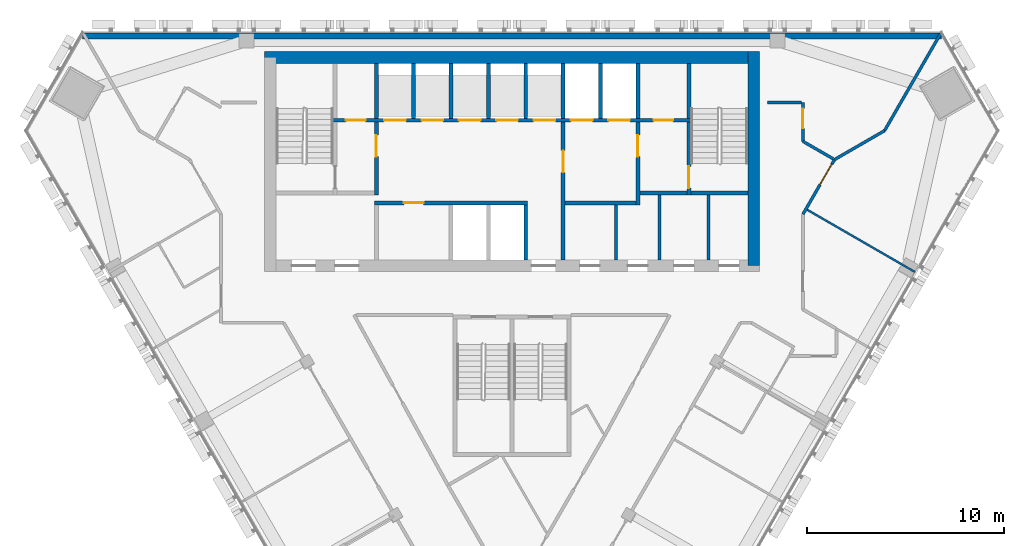
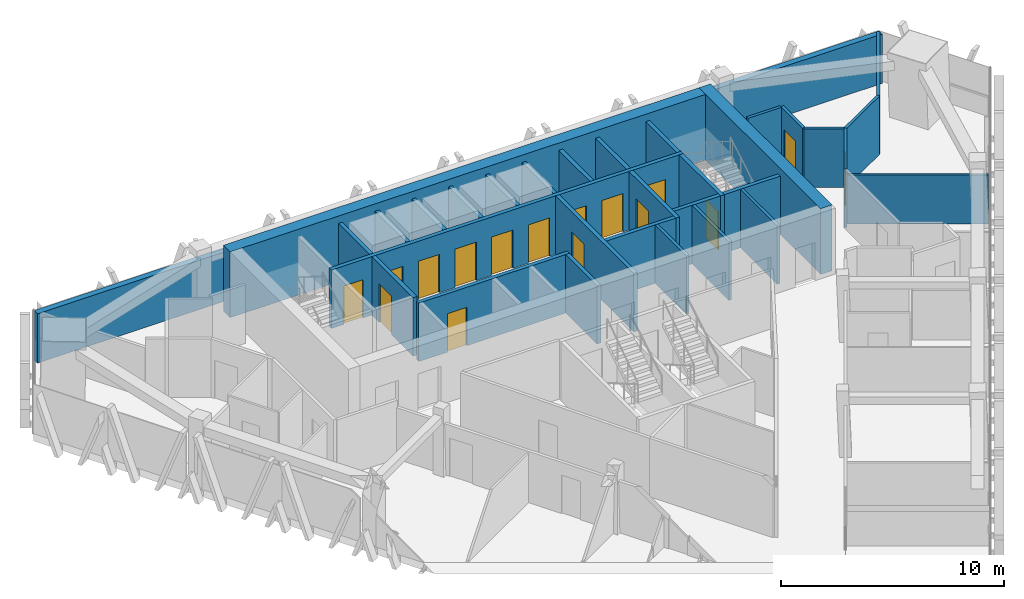
# One storey, part 10 of 14: 32 walls, 16 doors, 16 openings.
"""IFC4 building model written with IfcOpenShell, lengths in metres."""

from ifc_helpers import new_model, si_unit, direction, frame, frame_2d, origin, place, context, subcontext, project, spatial, rectangle, extrude, material, layer, layer_set, type_object, element, fill, save


model = new_model("IFC4")

# Units and contexts
model_context = context("Model", 3, precision=1e-05, world=origin(), true_north=direction((0.0, 1.0)))
body_context = subcontext(model_context, "Body", "Model", "MODEL_VIEW")
ifc_project = project(units=[si_unit("LENGTHUNIT", "METRE"), si_unit("AREAUNIT", "SQUARE_METRE"), si_unit("VOLUMEUNIT", "CUBIC_METRE"), si_unit("PLANEANGLEUNIT", "RADIAN"), si_unit("MASSUNIT", "GRAM", prefix="KILO")], contexts=[model_context])

# Site, building, storey
site_placement = place(None, origin())
site = spatial("IfcSite", under=ifc_project, at=site_placement, CompositionType="ELEMENT")
building_placement = place(site_placement, origin())
building = spatial("IfcBuilding", under=site, at=building_placement, Name="Altiplano Prism Tower", CompositionType="ELEMENT")
storey_placement = place(building_placement, frame((0.0, 0.0, 223.0)))
storey = spatial("IfcBuildingStorey", under=building, at=storey_placement, Name="L57", CompositionType="ELEMENT", Elevation=223.0)

# Walls
ifc_material_1 = material(Name="Concrete C60/75", Category="concrete")
ifc_layer_1 = layer(ifc_material_1, 0.60009765625)
ifc_layer_set_1 = layer_set([ifc_layer_1], Name="Concrete C60/75")
wall_type_1 = type_object("IfcWallType", Name="Core wall 600", PredefinedType="SHEAR", material=ifc_layer_set_1)
wall_1_placement = place(storey_placement, frame((97.300048828125, 93.10009765625, 0.0), z_axis=(0.0, 0.0, 1.0), x_axis=(0.0, 1.0, 0.0)))
element("IfcWall", 1, at=wall_1_placement, inside=storey, type_object=wall_type_1, Name="Core wall E L57", PredefinedType="SHEAR", context=body_context, shape_type="SweptSolid", body=[
    extrude(rectangle(XDim=10.89990234375, YDim=0.60009765625, at=frame_2d((5.449951171875, 0.0))), origin(), (0.0, 0.0, 1.0), 3.60009765625),
])
wall_2_placement = place(storey_placement, frame((97.300048828125, 103.699951171875, 0.0), z_axis=(0.0, 0.0, 1.0), x_axis=(-1.0, 0.0, 0.0)))
element("IfcWall", 2, at=wall_2_placement, inside=storey, type_object=wall_type_1, Name="Core wall N L57", PredefinedType="SHEAR", context=body_context, shape_type="SweptSolid", body=[
    extrude(rectangle(XDim=24.900146484375, YDim=0.60009765625, at=frame_2d((12.4501953125, 0.0))), origin(), (0.0, 0.0, 1.0), 3.60009765625),
])
ifc_material_2 = material(Name="Plasterboard on steel stud", Category="steel")
ifc_layer_2 = layer(ifc_material_2, 0.10009765625)
ifc_layer_set_2 = layer_set([ifc_layer_2], Name="Plasterboard on steel stud")
wall_type_2 = type_object("IfcWallType", Name="Partition 100 wet", PredefinedType="PARTITIONING", material=ifc_layer_set_2)
wall_3_placement = place(storey_placement, frame((105.494873046875, 92.784423828125, 0.0), z_axis=(0.0, 0.0, 1.0), x_axis=(-0.866015887322, 0.500016482634, 0.0)))
element("IfcWall", 3, at=wall_3_placement, inside=storey, type_object=wall_type_2, Name="Partition P03 L57 060", PredefinedType="PARTITIONING", context=body_context, shape_type="SweptSolid", body=[
    extrude(rectangle(XDim=6.324951171875, YDim=0.10009765625, at=frame_2d((3.16259765625, 0.0))), origin(), (0.0, 0.0, 1.0), 2.699951171875),
])

# Wall, opening, door
ifc_layer_3 = layer(ifc_material_2, 0.14990234375)
ifc_layer_set_3 = layer_set([ifc_layer_3], Name="Plasterboard on steel stud")
wall_type_3 = type_object("IfcWallType", Name="Partition 150 corridor", PredefinedType="PARTITIONING", material=ifc_layer_set_3)
wall_4_placement = place(storey_placement, frame((99.800048828125, 95.720458984375, 0.0), z_axis=(0.0, 0.0, 1.0), x_axis=(0.499992422807, 0.866029778435, 0.0)))
wall_4 = element("IfcWall", 4, at=wall_4_placement, inside=storey, type_object=wall_type_3, Name="Partition P06 L57 020", PredefinedType="PARTITIONING", context=body_context, shape_type="SweptSolid", body=[
    extrude(rectangle(XDim=3.20947265625, YDim=0.14990234375, at=frame_2d((1.604736328125, 0.0))), origin(), (0.0, 0.0, 1.0), 3.199951171875),
])
opening_1_placement = place(wall_4_placement, frame((1.736083984375, 0.0, 0.0)))
opening_1 = element("IfcOpeningElement", 5, at=opening_1_placement, cuts=wall_4, Name="Opening D1920", PredefinedType="OPENING", context=body_context, shape_type="SweptSolid", body=[
    extrude(rectangle(XDim=1.199951171875, YDim=2.10009765625, at=frame_2d((0.60009765625, 1.050048828125))), frame((0.0, 0.08544921875, 0.0), z_axis=(0.0, -1.0, 0.0), x_axis=(1.0, 0.0, 0.0)), (0.0, 0.0, 1.0), 0.1708984375),
])
ifc_material_3 = material(Name="Timber", Category="wood")
door_type_1 = type_object("IfcDoorType", Name="Shared room door 1200 x 2100", OperationType="NOTDEFINED", PredefinedType="NOTDEFINED", material=ifc_material_3)
door_1_placement = place(opening_1_placement, origin())
door_1 = element("IfcDoor", 6, at=door_1_placement, inside=storey, type_object=door_type_1, Name="Door D1920", OperationType="SINGLE_SWING_LEFT", OverallHeight=2.10009765625, OverallWidth=1.199951171875, PredefinedType="NOTDEFINED", context=body_context, shape_type="SweptSolid", body=[
    extrude(rectangle(XDim=1.199951171875, YDim=2.10009765625, at=frame_2d((0.60009765625, 1.050048828125))), frame((0.0, 0.02490234375, 0.0), z_axis=(0.0, -1.0, 0.0), x_axis=(1.0, 0.0, 0.0)), (0.0, 0.0, 1.0), 0.050048828125),
])
fill(opening_1, door_1)

# Wall
wall_5_placement = place(storey_placement, frame((101.33984375, 98.53759765625, 0.0), z_axis=(0.0, 0.0, 1.0), x_axis=(-0.866046103619, 0.499964145121, 0.0)))
element("IfcWall", 7, at=wall_5_placement, inside=storey, type_object=wall_type_3, Name="Partition P06 L57 021", PredefinedType="PARTITIONING", context=body_context, shape_type="SweptSolid", body=[
    extrude(rectangle(XDim=1.778076171875, YDim=0.14990234375, at=frame_2d((0.88916015625, 0.0))), origin(), (0.0, 0.0, 1.0), 3.199951171875),
])

# Wall, opening, door
wall_6_placement = place(storey_placement, frame((99.800048828125, 99.426513671875, 0.0), z_axis=(0.0, 0.0, 1.0), x_axis=(0.0, 1.0, 0.0)))
wall_6 = element("IfcWall", 8, at=wall_6_placement, inside=storey, type_object=wall_type_3, Name="Partition P06 L57 022", PredefinedType="PARTITIONING", context=body_context, shape_type="SweptSolid", body=[
    extrude(rectangle(XDim=1.973388671875, YDim=0.14990234375, at=frame_2d((0.98681640625, 0.0))), origin(), (0.0, 0.0, 1.0), 3.199951171875),
])
opening_2_placement = place(wall_6_placement, frame((0.6640625, 0.0, 0.0)))
opening_2 = element("IfcOpeningElement", 9, at=opening_2_placement, cuts=wall_6, Name="Opening D1921", PredefinedType="OPENING", context=body_context, shape_type="SweptSolid", body=[
    extrude(rectangle(XDim=1.0, YDim=2.10009765625, at=frame_2d((0.5, 1.050048828125))), frame((0.0, 0.08544921875, 0.0), z_axis=(0.0, -1.0, 0.0), x_axis=(1.0, 0.0, 0.0)), (0.0, 0.0, 1.0), 0.1708984375),
])
door_type_2 = type_object("IfcDoorType", Name="Store door 1000 x 2100", OperationType="NOTDEFINED", PredefinedType="NOTDEFINED", material=ifc_material_3)
door_2_placement = place(opening_2_placement, origin())
door_2 = element("IfcDoor", 10, at=door_2_placement, inside=storey, type_object=door_type_2, Name="Door D1921", OperationType="SINGLE_SWING_LEFT", OverallHeight=2.10009765625, OverallWidth=1.0, PredefinedType="NOTDEFINED", context=body_context, shape_type="SweptSolid", body=[
    extrude(rectangle(XDim=1.0, YDim=2.10009765625, at=frame_2d((0.5, 1.050048828125))), frame((0.0, 0.02490234375, 0.0), z_axis=(0.0, -1.0, 0.0), x_axis=(1.0, 0.0, 0.0)), (0.0, 0.0, 1.0), 0.050048828125),
])
fill(opening_2, door_2)

# Walls
wall_7_placement = place(storey_placement, frame((99.72509765625, 101.39990234375, 0.0), z_axis=(0.0, 0.0, 1.0), x_axis=(-1.0, 0.0, 0.0)))
element("IfcWall", 11, at=wall_7_placement, inside=storey, type_object=wall_type_3, Name="Partition P06 L57 023", PredefinedType="PARTITIONING", context=body_context, shape_type="SweptSolid", body=[
    extrude(rectangle(XDim=1.72509765625, YDim=0.14990234375, at=frame_2d((0.862548828125, 0.0))), origin(), (0.0, 0.0, 1.0), 3.199951171875),
])
ifc_layer_4 = layer(ifc_material_2, 0.14990234375)
ifc_layer_set_4 = layer_set([ifc_layer_4], Name="Plasterboard on steel stud")
wall_type_4 = type_object("IfcWallType", Name="Partition 150 party", PredefinedType="PARTITIONING", material=ifc_layer_set_4)
wall_8_placement = place(storey_placement, frame((106.7958984375, 104.89990234375, 0.0), z_axis=(0.0, 0.0, 1.0), x_axis=(-0.500008252402, -0.866020639205, 0.0)))
element("IfcWall", 12, at=wall_8_placement, inside=storey, type_object=wall_type_4, Name="Partition P01 L57 061", PredefinedType="PARTITIONING", context=body_context, shape_type="SweptSolid", body=[
    extrude(rectangle(XDim=5.69384765625, YDim=0.14990234375, at=frame_2d((2.846923828125, 0.0))), origin(), (0.0, 0.0, 1.0), 2.699951171875),
])
wall_9_placement = place(storey_placement, frame((103.948974609375, 99.968994140625, 0.0), z_axis=(0.0, 0.0, 1.0), x_axis=(-0.866009827712, -0.500026977578, 0.0)))
element("IfcWall", 13, at=wall_9_placement, inside=storey, type_object=wall_type_4, Name="Partition P01 L57 062", PredefinedType="PARTITIONING", context=body_context, shape_type="SweptSolid", body=[
    extrude(rectangle(XDim=2.937744140625, YDim=0.14990234375, at=frame_2d((1.46875, 0.0))), origin(), (0.0, 0.0, 1.0), 3.199951171875),
])
ifc_material_4 = material(Name="Fire-rated gypsum board partition")
ifc_layer_5 = layer(ifc_material_4, 0.14990234375)
ifc_layer_set_5 = layer_set([ifc_layer_5], Name="Fire-rated gypsum board partition")
wall_type_5 = type_object("IfcWallType", Name="Room partition 150", PredefinedType="PARTITIONING", material=ifc_layer_set_5)
wall_10_placement = place(storey_placement, frame((90.300048828125, 93.39990234375, 0.0), z_axis=(0.0, 0.0, 1.0), x_axis=(0.0, 1.0, 0.0)))
element("IfcWall", 14, at=wall_10_placement, inside=storey, type_object=wall_type_5, Name="Room partition L57", PredefinedType="PARTITIONING", context=body_context, shape_type="SweptSolid", body=[
    extrude(rectangle(XDim=2.800048828125, YDim=0.14990234375, at=frame_2d((1.39990234375, 0.0))), origin(), (0.0, 0.0, 1.0), 3.199951171875),
])
for number, where, z_axis, x_axis, name in (
    (15, (92.5, 93.39990234375, 0.0), (0.0, 0.0, 1.0), (0.0, 1.0, 0.0), "Room partition L57"),
    (16, (95.0, 93.39990234375, 0.0), (0.0, 0.0, 1.0), (0.0, 1.0, 0.0), "Room partition L57"),
):
    element("IfcWall", number, at=place(storey_placement, frame(where, z_axis=z_axis, x_axis=x_axis)), inside=storey, type_object=wall_type_5, Name=name, PredefinedType="PARTITIONING", context=body_context, shape_type="SweptSolid", body=[
        extrude(rectangle(XDim=3.300048828125, YDim=0.14990234375, at=frame_2d((1.64990234375, 0.0))), origin(), (0.0, 0.0, 1.0), 3.199951171875),
    ])
ifc_layer_6 = layer(ifc_material_1, 0.199951171875)
ifc_layer_set_6 = layer_set([ifc_layer_6], Name="Concrete C60/75")
wall_type_6 = type_object("IfcWallType", Name="Shaft wall 200", PredefinedType="SOLIDWALL", material=ifc_layer_set_6)
wall_11_placement = place(storey_placement, frame((85.699951171875, 93.39990234375, 0.0), z_axis=(0.0, 0.0, 1.0), x_axis=(0.0, 1.0, 0.0)))
element("IfcWall", 17, at=wall_11_placement, inside=storey, type_object=wall_type_6, Name="Shaft wall L57", PredefinedType="SOLIDWALL", context=body_context, shape_type="SweptSolid", body=[
    extrude(rectangle(XDim=2.800048828125, YDim=0.199951171875, at=frame_2d((1.39990234375, 0.0))), origin(), (0.0, 0.0, 1.0), 3.199951171875),
])

# Wall, opening, door
wall_12_placement = place(storey_placement, frame((78.0, 96.300048828125, 0.0), z_axis=(0.0, 0.0, 1.0), x_axis=(1.0, 0.0, 0.0)))
wall_12 = element("IfcWall", 18, at=wall_12_placement, inside=storey, type_object=wall_type_6, Name="Shaft wall L57", PredefinedType="SOLIDWALL", context=body_context, shape_type="SweptSolid", body=[
    extrude(rectangle(XDim=7.800048828125, YDim=0.199951171875, at=frame_2d((3.89990234375, 0.0))), origin(), (0.0, 0.0, 1.0), 3.199951171875),
])
opening_3_placement = place(wall_12_placement, frame((1.5, 0.0, 0.0)))
opening_3 = element("IfcOpeningElement", 19, at=opening_3_placement, cuts=wall_12, Name="Opening D3383", PredefinedType="OPENING", context=body_context, shape_type="SweptSolid", body=[
    extrude(rectangle(XDim=1.0, YDim=2.10009765625, at=frame_2d((0.5, 1.050048828125))), frame((0.0, 0.1103515625, 0.0), z_axis=(0.0, -1.0, 0.0), x_axis=(1.0, 0.0, 0.0)), (0.0, 0.0, 1.0), 0.220947265625),
])
ifc_material_5 = material(Name="Fire-rated steel door", Category="steel")
door_type_3 = type_object("IfcDoorType", Name="Core room door 1000 x 2100", OperationType="NOTDEFINED", PredefinedType="NOTDEFINED", material=ifc_material_5)
door_3_placement = place(opening_3_placement, origin())
door_3 = element("IfcDoor", 20, at=door_3_placement, inside=storey, type_object=door_type_3, Name="Core room door D3383", OperationType="SINGLE_SWING_RIGHT", OverallHeight=2.10009765625, OverallWidth=1.0, PredefinedType="NOTDEFINED", context=body_context, shape_type="SweptSolid", body=[
    extrude(rectangle(XDim=1.0, YDim=2.10009765625, at=frame_2d((0.5, 1.050048828125))), frame((0.0, 0.02490234375, 0.0), z_axis=(0.0, -1.0, 0.0), x_axis=(1.0, 0.0, 0.0)), (0.0, 0.0, 1.0), 0.050048828125),
])
fill(opening_3, door_3)

# Walls
for number, where, z_axis, x_axis, name in (
    (21, (78.10009765625, 100.60009765625, 0.0), (0.0, 0.0, 1.0), (0.0, 1.0, 0.0), "Shaft wall L57"),
    (22, (80.0, 100.60009765625, 0.0), (0.0, 0.0, 1.0), (0.0, 1.0, 0.0), "Shaft wall L57"),
    (23, (81.89990234375, 100.60009765625, 0.0), (0.0, 0.0, 1.0), (0.0, 1.0, 0.0), "Shaft wall L57"),
    (24, (83.800048828125, 100.60009765625, 0.0), (0.0, 0.0, 1.0), (0.0, 1.0, 0.0), "Shaft wall L57"),
    (25, (85.699951171875, 100.60009765625, 0.0), (0.0, 0.0, 1.0), (0.0, 1.0, 0.0), "Shaft wall L57"),
    (26, (87.60009765625, 100.60009765625, 0.0), (0.0, 0.0, 1.0), (0.0, 1.0, 0.0), "Shaft wall L57"),
    (27, (89.5, 100.60009765625, 0.0), (0.0, 0.0, 1.0), (0.0, 1.0, 0.0), "Shaft wall L57"),
    (28, (91.39990234375, 100.60009765625, 0.0), (0.0, 0.0, 1.0), (0.0, 1.0, 0.0), "Shaft wall L57"),
):
    element("IfcWall", number, at=place(storey_placement, frame(where, z_axis=z_axis, x_axis=x_axis)), inside=storey, type_object=wall_type_6, Name=name, PredefinedType="SOLIDWALL", context=body_context, shape_type="SweptSolid", body=[
        extrude(rectangle(XDim=2.7998046875, YDim=0.199951171875, at=frame_2d((1.39990234375, 0.0))), origin(), (0.0, 0.0, 1.0), 3.199951171875),
    ])

# Wall, opening, door
ifc_layer_7 = layer(ifc_material_1, 0.199951171875)
ifc_layer_set_7 = layer_set([ifc_layer_7], Name="Concrete C60/75")
wall_type_7 = type_object("IfcWallType", Name="Stair wall 200", PredefinedType="SOLIDWALL", material=ifc_layer_set_7)
wall_13_placement = place(storey_placement, frame((94.0, 96.699951171875, 0.0), z_axis=(0.0, 0.0, 1.0), x_axis=(0.0, 1.0, 0.0)))
wall_13 = element("IfcWall", 29, at=wall_13_placement, inside=storey, type_object=wall_type_7, Name="Stair wall L57", PredefinedType="SOLIDWALL", context=body_context, shape_type="SweptSolid", body=[
    extrude(rectangle(XDim=3.699951171875, YDim=0.199951171875, at=frame_2d((1.85009765625, 0.0))), origin(), (0.0, 0.0, 1.0), 3.199951171875),
])
opening_4_placement = place(wall_13_placement, frame((0.35009765625, 0.0, 0.0)))
opening_4 = element("IfcOpeningElement", 30, at=opening_4_placement, cuts=wall_13, Name="Opening D3370", PredefinedType="OPENING", context=body_context, shape_type="SweptSolid", body=[
    extrude(rectangle(XDim=1.10009765625, YDim=2.10009765625, at=frame_2d((0.550048828125, 1.050048828125))), frame((0.0, 0.1103515625, 0.0), z_axis=(0.0, -1.0, 0.0), x_axis=(1.0, 0.0, 0.0)), (0.0, 0.0, 1.0), 0.220947265625),
])
door_type_4 = type_object("IfcDoorType", Name="Stair fire door 1100 x 2100", OperationType="NOTDEFINED", PredefinedType="NOTDEFINED", material=ifc_material_5)
door_4_placement = place(opening_4_placement, origin())
door_4 = element("IfcDoor", 31, at=door_4_placement, inside=storey, type_object=door_type_4, Name="Stair fire door D3370", OperationType="SINGLE_SWING_LEFT", OverallHeight=2.10009765625, OverallWidth=1.10009765625, PredefinedType="NOTDEFINED", context=body_context, shape_type="SweptSolid", body=[
    extrude(rectangle(XDim=1.10009765625, YDim=2.10009765625, at=frame_2d((0.550048828125, 1.050048828125))), frame((0.0, 0.02490234375, 0.0), z_axis=(0.0, -1.0, 0.0), x_axis=(1.0, 0.0, 0.0)), (0.0, 0.0, 1.0), 0.050048828125),
])
fill(opening_4, door_4)

# Wall
wall_14_placement = place(storey_placement, frame((94.10009765625, 96.800048828125, 0.0), z_axis=(0.0, 0.0, 1.0), x_axis=(1.0, 0.0, 0.0)))
element("IfcWall", 32, at=wall_14_placement, inside=storey, type_object=wall_type_7, Name="Stair wall L57", PredefinedType="SOLIDWALL", context=body_context, shape_type="SweptSolid", body=[
    extrude(rectangle(XDim=2.89990234375, YDim=0.199951171875, at=frame_2d((1.449951171875, 0.0))), origin(), (0.0, 0.0, 1.0), 3.199951171875),
])

# Wall, openings, doors
wall_15_placement = place(storey_placement, frame((75.89990234375, 100.5, 0.0), z_axis=(0.0, 0.0, 1.0), x_axis=(1.0, 0.0, 0.0)))
wall_15 = element("IfcWall", 33, at=wall_15_placement, inside=storey, type_object=wall_type_7, Name="Stair wall L57", PredefinedType="SOLIDWALL", context=body_context, shape_type="SweptSolid", body=[
    extrude(rectangle(XDim=18.2001953125, YDim=0.199951171875, at=frame_2d((9.10009765625, 0.0))), origin(), (0.0, 0.0, 1.0), 3.199951171875),
])
opening_5_placement = place(wall_15_placement, frame((2.60009765625, 0.0, 0.0)))
opening_5 = element("IfcOpeningElement", 34, at=opening_5_placement, cuts=wall_15, Name="Opening LD-ML1-L57", PredefinedType="OPENING", context=body_context, shape_type="SweptSolid", body=[
    extrude(rectangle(XDim=1.10009765625, YDim=2.10009765625, at=frame_2d((0.550048828125, 1.050048828125))), frame((0.0, 0.1103515625, 0.0), z_axis=(0.0, -1.0, 0.0), x_axis=(1.0, 0.0, 0.0)), (0.0, 0.0, 1.0), 0.220947265625),
])
opening_6_placement = place(wall_15_placement, frame((4.5, 0.0, 0.0)))
opening_6 = element("IfcOpeningElement", 35, at=opening_6_placement, cuts=wall_15, Name="Opening LD-ML2-L57", PredefinedType="OPENING", context=body_context, shape_type="SweptSolid", body=[
    extrude(rectangle(XDim=1.10009765625, YDim=2.10009765625, at=frame_2d((0.550048828125, 1.050048828125))), frame((0.0, 0.1103515625, 0.0), z_axis=(0.0, -1.0, 0.0), x_axis=(1.0, 0.0, 0.0)), (0.0, 0.0, 1.0), 0.220947265625),
])
opening_7_placement = place(wall_15_placement, frame((6.39990234375, 0.0, 0.0)))
opening_7 = element("IfcOpeningElement", 36, at=opening_7_placement, cuts=wall_15, Name="Opening LD-ML3-L57", PredefinedType="OPENING", context=body_context, shape_type="SweptSolid", body=[
    extrude(rectangle(XDim=1.10009765625, YDim=2.10009765625, at=frame_2d((0.550048828125, 1.050048828125))), frame((0.0, 0.1103515625, 0.0), z_axis=(0.0, -1.0, 0.0), x_axis=(1.0, 0.0, 0.0)), (0.0, 0.0, 1.0), 0.220947265625),
])
opening_8_placement = place(wall_15_placement, frame((8.300048828125, 0.0, 0.0)))
opening_8 = element("IfcOpeningElement", 37, at=opening_8_placement, cuts=wall_15, Name="Opening LD-ML4-L57", PredefinedType="OPENING", context=body_context, shape_type="SweptSolid", body=[
    extrude(rectangle(XDim=1.10009765625, YDim=2.10009765625, at=frame_2d((0.550048828125, 1.050048828125))), frame((0.0, 0.1103515625, 0.0), z_axis=(0.0, -1.0, 0.0), x_axis=(1.0, 0.0, 0.0)), (0.0, 0.0, 1.0), 0.220947265625),
])
opening_9_placement = place(wall_15_placement, frame((10.199951171875, 0.0, 0.0)))
opening_9 = element("IfcOpeningElement", 38, at=opening_9_placement, cuts=wall_15, Name="Opening LD-ML5-L57", PredefinedType="OPENING", context=body_context, shape_type="SweptSolid", body=[
    extrude(rectangle(XDim=1.10009765625, YDim=2.10009765625, at=frame_2d((0.550048828125, 1.050048828125))), frame((0.0, 0.1103515625, 0.0), z_axis=(0.0, -1.0, 0.0), x_axis=(1.0, 0.0, 0.0)), (0.0, 0.0, 1.0), 0.220947265625),
])
opening_10_placement = place(wall_15_placement, frame((12.10009765625, 0.0, 0.0)))
opening_10 = element("IfcOpeningElement", 39, at=opening_10_placement, cuts=wall_15, Name="Opening LD-FF1-L57", PredefinedType="OPENING", context=body_context, shape_type="SweptSolid", body=[
    extrude(rectangle(XDim=1.10009765625, YDim=2.10009765625, at=frame_2d((0.550048828125, 1.050048828125))), frame((0.0, 0.1103515625, 0.0), z_axis=(0.0, -1.0, 0.0), x_axis=(1.0, 0.0, 0.0)), (0.0, 0.0, 1.0), 0.220947265625),
])
opening_11_placement = place(wall_15_placement, frame((14.0, 0.0, 0.0)))
opening_11 = element("IfcOpeningElement", 40, at=opening_11_placement, cuts=wall_15, Name="Opening LD-FF2-L57", PredefinedType="OPENING", context=body_context, shape_type="SweptSolid", body=[
    extrude(rectangle(XDim=1.10009765625, YDim=2.10009765625, at=frame_2d((0.550048828125, 1.050048828125))), frame((0.0, 0.1103515625, 0.0), z_axis=(0.0, -1.0, 0.0), x_axis=(1.0, 0.0, 0.0)), (0.0, 0.0, 1.0), 0.220947265625),
])
opening_12_placement = place(wall_15_placement, frame((0.64990234375, 0.0, 0.0)))
opening_12 = element("IfcOpeningElement", 41, at=opening_12_placement, cuts=wall_15, Name="Opening D3377", PredefinedType="OPENING", context=body_context, shape_type="SweptSolid", body=[
    extrude(rectangle(XDim=1.0, YDim=2.10009765625, at=frame_2d((0.5, 1.050048828125))), frame((0.0, 0.1103515625, 0.0), z_axis=(0.0, -1.0, 0.0), x_axis=(1.0, 0.0, 0.0)), (0.0, 0.0, 1.0), 0.220947265625),
])
opening_13_placement = place(wall_15_placement, frame((16.300048828125, 0.0, 0.0)))
opening_13 = element("IfcOpeningElement", 42, at=opening_13_placement, cuts=wall_15, Name="Opening D3378", PredefinedType="OPENING", context=body_context, shape_type="SweptSolid", body=[
    extrude(rectangle(XDim=1.0, YDim=2.10009765625, at=frame_2d((0.5, 1.050048828125))), frame((0.0, 0.1103515625, 0.0), z_axis=(0.0, -1.0, 0.0), x_axis=(1.0, 0.0, 0.0)), (0.0, 0.0, 1.0), 0.220947265625),
])
door_5_placement = place(opening_12_placement, origin())
door_5 = element("IfcDoor", 43, at=door_5_placement, inside=storey, type_object=door_type_3, Name="Core room door D3377", OperationType="SINGLE_SWING_LEFT", OverallHeight=2.10009765625, OverallWidth=1.0, PredefinedType="NOTDEFINED", context=body_context, shape_type="SweptSolid", body=[
    extrude(rectangle(XDim=1.0, YDim=2.10009765625, at=frame_2d((0.5, 1.050048828125))), frame((0.0, 0.02490234375, 0.0), z_axis=(0.0, -1.0, 0.0), x_axis=(1.0, 0.0, 0.0)), (0.0, 0.0, 1.0), 0.050048828125),
])
fill(opening_12, door_5)
door_6_placement = place(opening_13_placement, origin())
door_6 = element("IfcDoor", 44, at=door_6_placement, inside=storey, type_object=door_type_3, Name="Core room door D3378", OperationType="SINGLE_SWING_RIGHT", OverallHeight=2.10009765625, OverallWidth=1.0, PredefinedType="NOTDEFINED", context=body_context, shape_type="SweptSolid", body=[
    extrude(rectangle(XDim=1.0, YDim=2.10009765625, at=frame_2d((0.5, 1.050048828125))), frame((0.0, 0.02490234375, 0.0), z_axis=(0.0, -1.0, 0.0), x_axis=(1.0, 0.0, 0.0)), (0.0, 0.0, 1.0), 0.050048828125),
])
fill(opening_13, door_6)
ifc_material_6 = material(Name="Stainless steel landing door", Category="steel")
door_type_5 = type_object("IfcDoorType", Name="Landing door 1100 x 2100", OperationType="NOTDEFINED", PredefinedType="NOTDEFINED", material=ifc_material_6)
door_7_placement = place(opening_5_placement, origin())
door_7 = element("IfcDoor", 45, at=door_7_placement, inside=storey, type_object=door_type_5, Name="Landing doors ML1", OperationType="SLIDING_TO_RIGHT", OverallHeight=2.10009765625, OverallWidth=1.10009765625, PredefinedType="NOTDEFINED", context=body_context, shape_type="SweptSolid", body=[
    extrude(rectangle(XDim=1.10009765625, YDim=2.10009765625, at=frame_2d((0.550048828125, 1.050048828125))), frame((0.0, 0.02490234375, 0.0), z_axis=(0.0, -1.0, 0.0), x_axis=(1.0, 0.0, 0.0)), (0.0, 0.0, 1.0), 0.050048828125),
])
fill(opening_5, door_7)
door_8_placement = place(opening_6_placement, origin())
door_8 = element("IfcDoor", 46, at=door_8_placement, inside=storey, type_object=door_type_5, Name="Landing doors ML2", OperationType="SLIDING_TO_LEFT", OverallHeight=2.10009765625, OverallWidth=1.10009765625, PredefinedType="NOTDEFINED", context=body_context, shape_type="SweptSolid", body=[
    extrude(rectangle(XDim=1.10009765625, YDim=2.10009765625, at=frame_2d((0.550048828125, 1.050048828125))), frame((0.0, 0.02490234375, 0.0), z_axis=(0.0, -1.0, 0.0), x_axis=(1.0, 0.0, 0.0)), (0.0, 0.0, 1.0), 0.050048828125),
])
fill(opening_6, door_8)
door_9_placement = place(opening_7_placement, origin())
door_9 = element("IfcDoor", 47, at=door_9_placement, inside=storey, type_object=door_type_5, Name="Landing doors ML3", OperationType="SLIDING_TO_RIGHT", OverallHeight=2.10009765625, OverallWidth=1.10009765625, PredefinedType="NOTDEFINED", context=body_context, shape_type="SweptSolid", body=[
    extrude(rectangle(XDim=1.10009765625, YDim=2.10009765625, at=frame_2d((0.550048828125, 1.050048828125))), frame((0.0, 0.02490234375, 0.0), z_axis=(0.0, -1.0, 0.0), x_axis=(1.0, 0.0, 0.0)), (0.0, 0.0, 1.0), 0.050048828125),
])
fill(opening_7, door_9)
door_10_placement = place(opening_8_placement, origin())
door_10 = element("IfcDoor", 48, at=door_10_placement, inside=storey, type_object=door_type_5, Name="Landing doors ML4", OperationType="SLIDING_TO_LEFT", OverallHeight=2.10009765625, OverallWidth=1.10009765625, PredefinedType="NOTDEFINED", context=body_context, shape_type="SweptSolid", body=[
    extrude(rectangle(XDim=1.10009765625, YDim=2.10009765625, at=frame_2d((0.550048828125, 1.050048828125))), frame((0.0, 0.02490234375, 0.0), z_axis=(0.0, -1.0, 0.0), x_axis=(1.0, 0.0, 0.0)), (0.0, 0.0, 1.0), 0.050048828125),
])
fill(opening_8, door_10)
door_11_placement = place(opening_9_placement, origin())
door_11 = element("IfcDoor", 49, at=door_11_placement, inside=storey, type_object=door_type_5, Name="Landing doors ML5", OperationType="SLIDING_TO_RIGHT", OverallHeight=2.10009765625, OverallWidth=1.10009765625, PredefinedType="NOTDEFINED", context=body_context, shape_type="SweptSolid", body=[
    extrude(rectangle(XDim=1.10009765625, YDim=2.10009765625, at=frame_2d((0.550048828125, 1.050048828125))), frame((0.0, 0.02490234375, 0.0), z_axis=(0.0, -1.0, 0.0), x_axis=(1.0, 0.0, 0.0)), (0.0, 0.0, 1.0), 0.050048828125),
])
fill(opening_9, door_11)
door_12_placement = place(opening_10_placement, origin())
door_12 = element("IfcDoor", 50, at=door_12_placement, inside=storey, type_object=door_type_5, Name="Landing doors FF1", OperationType="SLIDING_TO_RIGHT", OverallHeight=2.10009765625, OverallWidth=1.10009765625, PredefinedType="NOTDEFINED", context=body_context, shape_type="SweptSolid", body=[
    extrude(rectangle(XDim=1.10009765625, YDim=2.10009765625, at=frame_2d((0.550048828125, 1.050048828125))), frame((0.0, 0.02490234375, 0.0), z_axis=(0.0, -1.0, 0.0), x_axis=(1.0, 0.0, 0.0)), (0.0, 0.0, 1.0), 0.050048828125),
])
fill(opening_10, door_12)
door_13_placement = place(opening_11_placement, origin())
door_13 = element("IfcDoor", 51, at=door_13_placement, inside=storey, type_object=door_type_5, Name="Landing doors FF2", OperationType="SLIDING_TO_LEFT", OverallHeight=2.10009765625, OverallWidth=1.10009765625, PredefinedType="NOTDEFINED", context=body_context, shape_type="SweptSolid", body=[
    extrude(rectangle(XDim=1.10009765625, YDim=2.10009765625, at=frame_2d((0.550048828125, 1.050048828125))), frame((0.0, 0.02490234375, 0.0), z_axis=(0.0, -1.0, 0.0), x_axis=(1.0, 0.0, 0.0)), (0.0, 0.0, 1.0), 0.050048828125),
])
fill(opening_11, door_13)

# Walls
wall_16_placement = place(storey_placement, frame((94.0, 100.60009765625, 0.0), z_axis=(0.0, 0.0, 1.0), x_axis=(0.0, 1.0, 0.0)))
element("IfcWall", 52, at=wall_16_placement, inside=storey, type_object=wall_type_7, Name="Stair wall L57", PredefinedType="SOLIDWALL", context=body_context, shape_type="SweptSolid", body=[
    extrude(rectangle(XDim=2.7998046875, YDim=0.199951171875, at=frame_2d((1.39990234375, 0.0))), origin(), (0.0, 0.0, 1.0), 3.199951171875),
])
ifc_material_7 = material(Name="Concrete C40", Category="concrete")
ifc_layer_8 = layer(ifc_material_7, 0.300048828125)
ifc_layer_set_8 = layer_set([ifc_layer_8], Name="Concrete C40")
wall_type_8 = type_object("IfcWallType", Name="Stone-clad external wall 300", PredefinedType="SOLIDWALL", material=ifc_layer_set_8)
wall_17_placement = place(storey_placement, frame((63.146240234375, 104.7900390625, 0.0), z_axis=(0.0, 0.0, 1.0), x_axis=(1.0, 0.0, 0.0)))
element("IfcWall", 53, at=wall_17_placement, inside=storey, type_object=wall_type_8, Name="External wall north face L57", PredefinedType="SOLIDWALL", context=body_context, shape_type="SweptSolid", body=[
    extrude(rectangle(XDim=43.70751953125, YDim=0.300048828125, at=frame_2d((21.853759765625, 0.0))), origin(), (0.0, 0.0, 1.0), 2.699951171875),
])

# Wall, opening, door
ifc_layer_9 = layer(ifc_material_1, 0.199951171875)
ifc_layer_set_9 = layer_set([ifc_layer_9], Name="Concrete C60/75")
wall_type_9 = type_object("IfcWallType", Name="Vestibule wall 200", PredefinedType="PARTITIONING", material=ifc_layer_set_9)
wall_18_placement = place(storey_placement, frame((87.60009765625, 93.39990234375, 0.0), z_axis=(0.0, 0.0, 1.0), x_axis=(0.0, 1.0, 0.0)))
wall_18 = element("IfcWall", 54, at=wall_18_placement, inside=storey, type_object=wall_type_9, Name="Vestibule wall L57", PredefinedType="PARTITIONING", context=body_context, shape_type="SweptSolid", body=[
    extrude(rectangle(XDim=7.0, YDim=0.199951171875, at=frame_2d((3.5, 0.0))), origin(), (0.0, 0.0, 1.0), 3.199951171875),
])
opening_14_placement = place(wall_18_placement, frame((4.449951171875, 0.0, 0.0)))
opening_14 = element("IfcOpeningElement", 55, at=opening_14_placement, cuts=wall_18, Name="Opening D3372", PredefinedType="OPENING", context=body_context, shape_type="SweptSolid", body=[
    extrude(rectangle(XDim=1.10009765625, YDim=2.10009765625, at=frame_2d((0.550048828125, 1.050048828125))), frame((0.0, 0.1103515625, 0.0), z_axis=(0.0, -1.0, 0.0), x_axis=(1.0, 0.0, 0.0)), (0.0, 0.0, 1.0), 0.220947265625),
])
door_type_6 = type_object("IfcDoorType", Name="Vestibule fire door 1100 x 2100", OperationType="NOTDEFINED", PredefinedType="NOTDEFINED", material=ifc_material_5)
door_14_placement = place(opening_14_placement, origin())
door_14 = element("IfcDoor", 56, at=door_14_placement, inside=storey, type_object=door_type_6, Name="Vestibule fire door D3372", OperationType="SINGLE_SWING_RIGHT", OverallHeight=2.10009765625, OverallWidth=1.10009765625, PredefinedType="NOTDEFINED", context=body_context, shape_type="SweptSolid", body=[
    extrude(rectangle(XDim=1.10009765625, YDim=2.10009765625, at=frame_2d((0.550048828125, 1.050048828125))), frame((0.0, 0.02490234375, 0.0), z_axis=(0.0, -1.0, 0.0), x_axis=(1.0, 0.0, 0.0)), (0.0, 0.0, 1.0), 0.050048828125),
])
fill(opening_14, door_14)

# Wall
wall_19_placement = place(storey_placement, frame((87.699951171875, 96.300048828125, 0.0), z_axis=(0.0, 0.0, 1.0), x_axis=(1.0, 0.0, 0.0)))
element("IfcWall", 57, at=wall_19_placement, inside=storey, type_object=wall_type_9, Name="Vestibule wall L57", PredefinedType="PARTITIONING", context=body_context, shape_type="SweptSolid", body=[
    extrude(rectangle(XDim=3.60009765625, YDim=0.199951171875, at=frame_2d((1.800048828125, 0.0))), origin(), (0.0, 0.0, 1.0), 3.199951171875),
])

# Wall, opening, door
wall_20_placement = place(storey_placement, frame((91.39990234375, 96.199951171875, 0.0), z_axis=(0.0, 0.0, 1.0), x_axis=(0.0, 1.0, 0.0)))
wall_20 = element("IfcWall", 58, at=wall_20_placement, inside=storey, type_object=wall_type_9, Name="Vestibule wall L57", PredefinedType="PARTITIONING", context=body_context, shape_type="SweptSolid", body=[
    extrude(rectangle(XDim=4.199951171875, YDim=0.199951171875, at=frame_2d((2.10009765625, 0.0))), origin(), (0.0, 0.0, 1.0), 3.199951171875),
])
opening_15_placement = place(wall_20_placement, frame((2.449951171875, 0.0, 0.0)))
opening_15 = element("IfcOpeningElement", 59, at=opening_15_placement, cuts=wall_20, Name="Opening D3373", PredefinedType="OPENING", context=body_context, shape_type="SweptSolid", body=[
    extrude(rectangle(XDim=1.10009765625, YDim=2.10009765625, at=frame_2d((0.550048828125, 1.050048828125))), frame((0.0, 0.1103515625, 0.0), z_axis=(0.0, -1.0, 0.0), x_axis=(1.0, 0.0, 0.0)), (0.0, 0.0, 1.0), 0.220947265625),
])
door_15_placement = place(opening_15_placement, origin())
door_15 = element("IfcDoor", 60, at=door_15_placement, inside=storey, type_object=door_type_6, Name="Vestibule fire door D3373", OperationType="SINGLE_SWING_LEFT", OverallHeight=2.10009765625, OverallWidth=1.10009765625, PredefinedType="NOTDEFINED", context=body_context, shape_type="SweptSolid", body=[
    extrude(rectangle(XDim=1.10009765625, YDim=2.10009765625, at=frame_2d((0.550048828125, 1.050048828125))), frame((0.0, 0.02490234375, 0.0), z_axis=(0.0, -1.0, 0.0), x_axis=(1.0, 0.0, 0.0)), (0.0, 0.0, 1.0), 0.050048828125),
])
fill(opening_15, door_15)

wall_21_placement = place(storey_placement, frame((78.10009765625, 96.699951171875, 0.0), z_axis=(0.0, 0.0, 1.0), x_axis=(0.0, 1.0, 0.0)))
wall_21 = element("IfcWall", 61, at=wall_21_placement, inside=storey, type_object=wall_type_9, Name="Vestibule wall L57", PredefinedType="PARTITIONING", context=body_context, shape_type="SweptSolid", body=[
    extrude(rectangle(XDim=3.699951171875, YDim=0.199951171875, at=frame_2d((1.85009765625, 0.0))), origin(), (0.0, 0.0, 1.0), 3.199951171875),
])
opening_16_placement = place(wall_21_placement, frame((1.949951171875, 0.0, 0.0)))
opening_16 = element("IfcOpeningElement", 62, at=opening_16_placement, cuts=wall_21, Name="Opening D3371", PredefinedType="OPENING", context=body_context, shape_type="SweptSolid", body=[
    extrude(rectangle(XDim=1.10009765625, YDim=2.10009765625, at=frame_2d((0.550048828125, 1.050048828125))), frame((0.0, 0.1103515625, 0.0), z_axis=(0.0, -1.0, 0.0), x_axis=(1.0, 0.0, 0.0)), (0.0, 0.0, 1.0), 0.220947265625),
])
door_16_placement = place(opening_16_placement, origin())
door_16 = element("IfcDoor", 63, at=door_16_placement, inside=storey, type_object=door_type_6, Name="Vestibule fire door D3371", OperationType="SINGLE_SWING_LEFT", OverallHeight=2.10009765625, OverallWidth=1.10009765625, PredefinedType="NOTDEFINED", context=body_context, shape_type="SweptSolid", body=[
    extrude(rectangle(XDim=1.10009765625, YDim=2.10009765625, at=frame_2d((0.550048828125, 1.050048828125))), frame((0.0, 0.02490234375, 0.0), z_axis=(0.0, -1.0, 0.0), x_axis=(1.0, 0.0, 0.0)), (0.0, 0.0, 1.0), 0.050048828125),
])
fill(opening_16, door_16)

# Wall
wall_22_placement = place(storey_placement, frame((91.5, 96.800048828125, 0.0), z_axis=(0.0, 0.0, 1.0), x_axis=(1.0, 0.0, 0.0)))
element("IfcWall", 64, at=wall_22_placement, inside=storey, type_object=wall_type_9, Name="Vestibule wall L57", PredefinedType="PARTITIONING", context=body_context, shape_type="SweptSolid", body=[
    extrude(rectangle(XDim=2.39990234375, YDim=0.199951171875, at=frame_2d((1.199951171875, 0.0))), origin(), (0.0, 0.0, 1.0), 3.199951171875),
])

save(model, "model.ifc")
